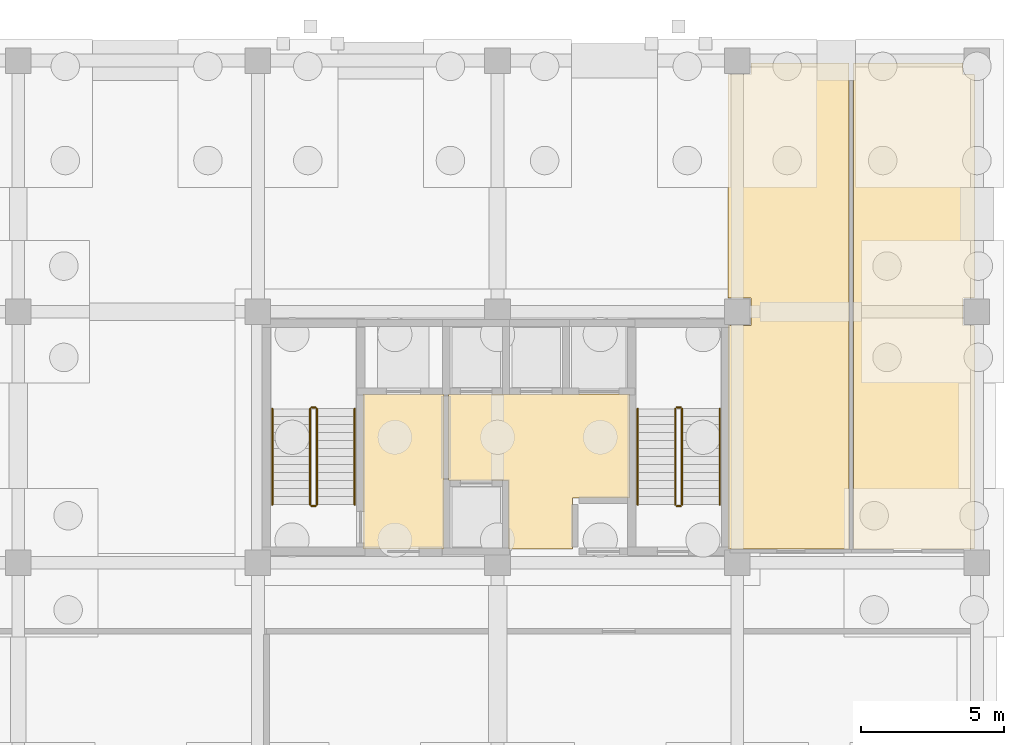
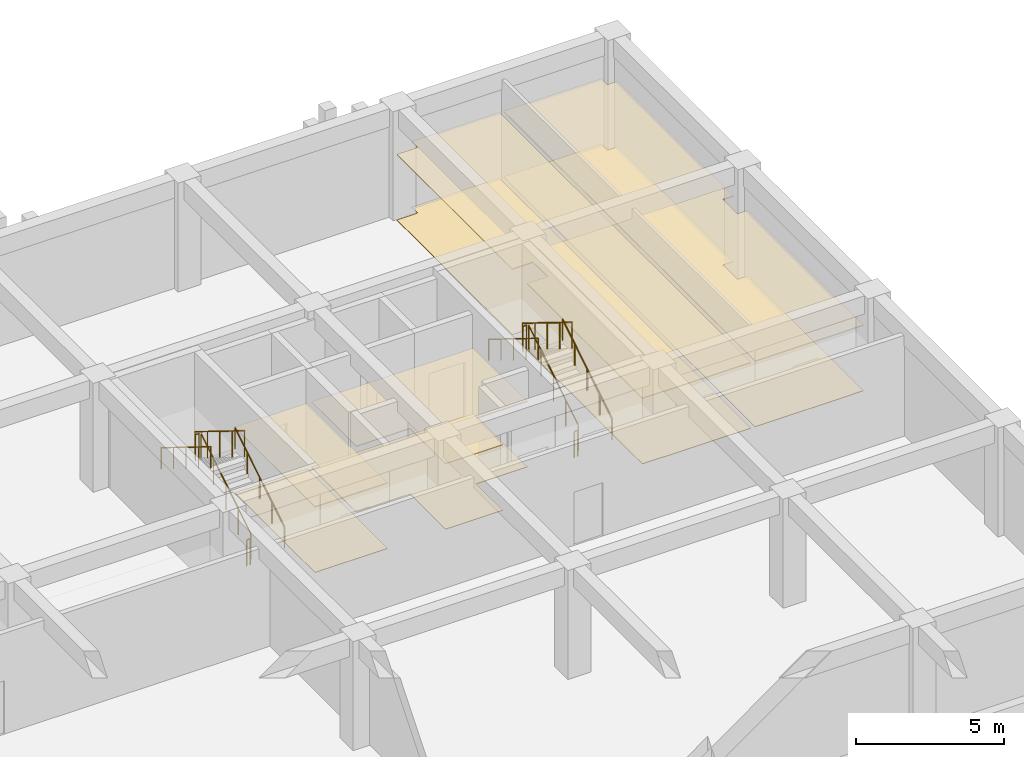
# One storey, part 40 of 41: 12 railings, 8 coverings.
"""IFC4 building model written with IfcOpenShell, lengths in metres."""

from ifc_helpers import new_model, si_unit, direction, frame, origin, origin_2d, place, context, subcontext, project, spatial, polyline, circle, outline, extrude, material, layer, layer_set, type_object, element, save


model = new_model("IFC4")

# Units and contexts
model_context = context("Model", 3, precision=1e-05, world=origin(), true_north=direction((0.0, 1.0)))
body_context = subcontext(model_context, "Body", "Model", "MODEL_VIEW")
ifc_project = project(units=[si_unit("LENGTHUNIT", "METRE"), si_unit("AREAUNIT", "SQUARE_METRE"), si_unit("VOLUMEUNIT", "CUBIC_METRE"), si_unit("PLANEANGLEUNIT", "RADIAN"), si_unit("MASSUNIT", "GRAM", prefix="KILO")], contexts=[model_context])

# Site, building, storey
site_placement = place(None, origin())
site = spatial("IfcSite", under=ifc_project, at=site_placement, CompositionType="ELEMENT")
building_placement = place(site_placement, origin())
building = spatial("IfcBuilding", under=site, at=building_placement, Name="Kemercrest Conservatory and Botanical Centre", CompositionType="ELEMENT")
storey_placement = place(building_placement, frame((0.0, 0.0, -4.5)))
storey = spatial("IfcBuildingStorey", under=building, at=storey_placement, Name="B1", CompositionType="ELEMENT", Elevation=-4.5)

# Coverings
ifc_material_1 = material(Name="Perforated acoustic gypsum and mineral-fibre suspended ceiling", Category="gypsum")
ifc_layer_1 = layer(ifc_material_1, 0.034912109375)
ifc_layer_set_1 = layer_set([ifc_layer_1], Name="Perforated acoustic gypsum and mineral-fibre suspended ceiling")
covering_type_1 = type_object("IfcCoveringType", Name="CV-CLG035", PredefinedType="CEILING", material=ifc_layer_set_1)
covering_1_placement = place(storey_placement, frame((0.0, 0.0, 2.699951171875)))
element("IfcCovering", 1, at=covering_1_placement, inside=storey, type_object=covering_type_1, Name="Basement Staff Washroom suspended acoustic ceiling", PredefinedType="CEILING", context=body_context, shape_type="SweptSolid", body=[
    extrude(outline(polyline([(168.090087890625, 105.280029296875), (171.52001953125, 105.280029296875), (171.52001953125, 122.320068359375), (168.090087890625, 122.320068359375), (168.090087890625, 121.909912109375), (167.280029296875, 121.909912109375), (167.280029296875, 114.090087890625), (168.090087890625, 114.090087890625), (168.090087890625, 113.110107421875), (167.280029296875, 113.110107421875), (167.280029296875, 105.2900390625), (168.090087890625, 105.2900390625), (168.090087890625, 105.280029296875)])), origin(), (0.0, 0.0, 1.0), 0.03515625),
])
covering_2_placement = place(storey_placement, frame((0.0, 0.0, 2.699951171875)))
element("IfcCovering", 2, at=covering_2_placement, inside=storey, type_object=covering_type_1, Name="Basement Accessible Washroom suspended acoustic ceiling", PredefinedType="CEILING", context=body_context, shape_type="SweptSolid", body=[
    extrude(outline(polyline([(171.679931640625, 105.280029296875), (175.510009765625, 105.280029296875), (175.510009765625, 105.2900390625), (175.919921875, 105.2900390625), (175.919921875, 113.110107421875), (175.510009765625, 113.110107421875), (175.510009765625, 114.090087890625), (175.919921875, 114.090087890625), (175.919921875, 121.909912109375), (175.510009765625, 121.909912109375), (175.510009765625, 122.320068359375), (171.679931640625, 122.320068359375), (171.679931640625, 105.280029296875)])), origin(), (0.0, 0.0, 1.0), 0.03515625),
])
covering_3_placement = place(storey_placement, frame((0.0, 0.0, 2.699951171875)))
element("IfcCovering", 3, at=covering_3_placement, inside=storey, type_object=covering_type_1, Name="Firefighting Lobby suspended acoustic ceiling", PredefinedType="CEILING", context=body_context, shape_type="SweptSolid", body=[
    extrude(outline(polyline([(154.47998046875, 105.280029296875), (157.320068359375, 105.280029296875), (157.320068359375, 110.719970703125), (154.47998046875, 110.719970703125), (154.47998046875, 105.280029296875)])), origin(), (0.0, 0.0, 1.0), 0.03515625),
])
covering_4_placement = place(storey_placement, frame((0.0, 0.0, 2.699951171875)))
element("IfcCovering", 4, at=covering_4_placement, inside=storey, type_object=covering_type_1, Name="Tower Lift Lobby suspended acoustic ceiling", PredefinedType="CEILING", context=body_context, shape_type="SweptSolid", body=[
    extrude(outline(polyline([(159.580078125, 107.679931640625), (159.580078125, 105.2900390625), (159.68994140625, 105.2900390625), (159.68994140625, 105.280029296875), (161.820068359375, 105.280029296875), (161.820068359375, 107.080078125), (163.820068359375, 107.080078125), (163.820068359375, 110.719970703125), (157.47998046875, 110.719970703125), (157.47998046875, 107.679931640625), (159.580078125, 107.679931640625)])), origin(), (0.0, 0.0, 1.0), 0.03515625),
])
ifc_material_2 = material(Name="Polished limestone terrazzo and seamless laboratory epoxy flooring", Category="masonry")
ifc_layer_2 = layer(ifc_material_2, 0.02001953125)
ifc_layer_set_2 = layer_set([ifc_layer_2], Name="Polished limestone terrazzo and seamless laboratory epoxy flooring")
covering_type_2 = type_object("IfcCoveringType", Name="CV-FLR020", PredefinedType="FLOORING", material=ifc_layer_set_2)
covering_5_placement = place(storey_placement, origin())
element("IfcCovering", 5, at=covering_5_placement, inside=storey, type_object=covering_type_2, Name="Basement Staff Washroom floor finish", PredefinedType="FLOORING", context=body_context, shape_type="SweptSolid", body=[
    extrude(outline(polyline([(168.090087890625, 105.280029296875), (171.52001953125, 105.280029296875), (171.52001953125, 122.320068359375), (168.090087890625, 122.320068359375), (168.090087890625, 121.909912109375), (167.280029296875, 121.909912109375), (167.280029296875, 114.090087890625), (168.090087890625, 114.090087890625), (168.090087890625, 113.110107421875), (167.280029296875, 113.110107421875), (167.280029296875, 105.2900390625), (168.090087890625, 105.2900390625), (168.090087890625, 105.280029296875)])), origin(), (0.0, 0.0, 1.0), 0.02001953125),
])
covering_6_placement = place(storey_placement, origin())
element("IfcCovering", 6, at=covering_6_placement, inside=storey, type_object=covering_type_2, Name="Basement Accessible Washroom floor finish", PredefinedType="FLOORING", context=body_context, shape_type="SweptSolid", body=[
    extrude(outline(polyline([(171.679931640625, 105.280029296875), (175.510009765625, 105.280029296875), (175.510009765625, 105.2900390625), (175.919921875, 105.2900390625), (175.919921875, 113.110107421875), (175.510009765625, 113.110107421875), (175.510009765625, 114.090087890625), (175.919921875, 114.090087890625), (175.919921875, 121.909912109375), (175.510009765625, 121.909912109375), (175.510009765625, 122.320068359375), (171.679931640625, 122.320068359375), (171.679931640625, 105.280029296875)])), origin(), (0.0, 0.0, 1.0), 0.02001953125),
])
covering_7_placement = place(storey_placement, origin())
element("IfcCovering", 7, at=covering_7_placement, inside=storey, type_object=covering_type_2, Name="Firefighting Lobby floor finish", PredefinedType="FLOORING", context=body_context, shape_type="SweptSolid", body=[
    extrude(outline(polyline([(154.47998046875, 105.280029296875), (157.320068359375, 105.280029296875), (157.320068359375, 110.719970703125), (154.47998046875, 110.719970703125), (154.47998046875, 105.280029296875)])), origin(), (0.0, 0.0, 1.0), 0.02001953125),
])
covering_8_placement = place(storey_placement, origin())
element("IfcCovering", 8, at=covering_8_placement, inside=storey, type_object=covering_type_2, Name="Tower Lift Lobby floor finish", PredefinedType="FLOORING", context=body_context, shape_type="SweptSolid", body=[
    extrude(outline(polyline([(159.580078125, 107.679931640625), (159.580078125, 105.2900390625), (159.68994140625, 105.2900390625), (159.68994140625, 105.280029296875), (161.820068359375, 105.280029296875), (161.820068359375, 107.080078125), (163.820068359375, 107.080078125), (163.820068359375, 110.719970703125), (157.47998046875, 110.719970703125), (157.47998046875, 107.679931640625), (159.580078125, 107.679931640625)])), origin(), (0.0, 0.0, 1.0), 0.02001953125),
])

# Railings
ifc_material_3 = material(Name="Painted galvanized steel tubular stair guardrail", Category="steel")
railing_type_1 = type_object("IfcRailingType", Name="GR-STR110", PredefinedType="GUARDRAIL", material=ifc_material_3)
railing_1_placement = place(storey_placement, frame((152.8701171875, 106.840087890625, 0.173095703125)))
element("IfcRailing", 9, at=railing_1_placement, inside=storey, type_object=railing_type_1, Name="B1 ST-V4A stair guard 1", PredefinedType="GUARDRAIL", context=body_context, shape_type="SweptSolid", body=[
    extrude(circle(Radius=0.02392578125, at=origin_2d()), frame((0.0, 0.0, 1.076171875), z_axis=(0.0, 0.850606129759, 0.525803396734), x_axis=(-1.0, 0.0, 0.0)), (0.0, 0.0, 1.0), 3.949951171875),
    extrude(circle(Radius=0.02099609375, at=origin_2d()), origin(), (0.0, 0.0, 1.0), 1.052001953125),
    extrude(circle(Radius=0.02099609375, at=origin_2d()), frame((0.0, 0.83984375, 0.519287109375)), (0.0, 0.0, 1.0), 1.052001953125),
    extrude(circle(Radius=0.02099609375, at=origin_2d()), frame((0.0, 1.679931640625, 1.03857421875)), (0.0, 0.0, 1.0), 1.052001953125),
    extrude(circle(Radius=0.02099609375, at=origin_2d()), frame((0.0, 2.52001953125, 1.5576171875)), (0.0, 0.0, 1.0), 1.052001953125),
    extrude(circle(Radius=0.02099609375, at=origin_2d()), frame((0.0, 3.35986328125, 2.076904296875)), (0.0, 0.0, 1.0), 1.052001953125),
])
railing_2_placement = place(storey_placement, frame((152.820068359375, 110.25, 2.25)))
element("IfcRailing", 10, at=railing_2_placement, inside=storey, type_object=railing_type_1, Name="B1 ST-V4A stair guard 2", PredefinedType="GUARDRAIL", context=body_context, shape_type="SweptSolid", body=[
    extrude(circle(Radius=0.02392578125, at=origin_2d()), frame((0.0, 0.0, 1.076171875), z_axis=(-1.0, 0.0, 0.0), x_axis=(0.0, -1.0, 0.0)), (0.0, 0.0, 1.0), 0.14013671875),
    extrude(circle(Radius=0.02099609375, at=origin_2d()), origin(), (0.0, 0.0, 1.0), 1.052001953125),
    extrude(circle(Radius=0.02099609375, at=origin_2d()), frame((-0.14013671875, 0.0, 0.0)), (0.0, 0.0, 1.0), 1.052001953125),
])
railing_3_placement = place(storey_placement, frame((152.6298828125, 110.199951171875, 2.423095703125)))
element("IfcRailing", 11, at=railing_3_placement, inside=storey, type_object=railing_type_1, Name="B1 ST-V4A stair guard 3", PredefinedType="GUARDRAIL", context=body_context, shape_type="SweptSolid", body=[
    extrude(circle(Radius=0.02392578125, at=origin_2d()), frame((0.0, 0.0, 1.076171875), z_axis=(0.0, -0.850606129759, 0.525803396734), x_axis=(1.0, 0.0, 0.0)), (0.0, 0.0, 1.0), 3.949951171875),
    extrude(circle(Radius=0.02099609375, at=origin_2d()), origin(), (0.0, 0.0, 1.0), 1.052001953125),
    extrude(circle(Radius=0.02099609375, at=origin_2d()), frame((0.0, -0.83984375, 0.519287109375)), (0.0, 0.0, 1.0), 1.052001953125),
    extrude(circle(Radius=0.02099609375, at=origin_2d()), frame((0.0, -1.679931640625, 1.03857421875)), (0.0, 0.0, 1.0), 1.052001953125),
    extrude(circle(Radius=0.02099609375, at=origin_2d()), frame((0.0, -2.52001953125, 1.5576171875)), (0.0, 0.0, 1.0), 1.052001953125),
    extrude(circle(Radius=0.02099609375, at=origin_2d()), frame((0.0, -3.35986328125, 2.076904296875)), (0.0, 0.0, 1.0), 1.052001953125),
])
railing_4_placement = place(storey_placement, frame((152.820068359375, 106.7900390625, 0.0)))
element("IfcRailing", 12, at=railing_4_placement, inside=storey, type_object=railing_type_1, Name="B1 ST-V4A stair guard 4", PredefinedType="GUARDRAIL", context=body_context, shape_type="SweptSolid", body=[
    extrude(circle(Radius=0.02392578125, at=origin_2d()), frame((0.0, 0.0, 1.076171875), z_axis=(-1.0, 0.0, 0.0), x_axis=(0.0, -1.0, 0.0)), (0.0, 0.0, 1.0), 0.14013671875),
    extrude(circle(Radius=0.02099609375, at=origin_2d()), origin(), (0.0, 0.0, 1.0), 1.052001953125),
    extrude(circle(Radius=0.02099609375, at=origin_2d()), frame((-0.14013671875, 0.0, 0.0)), (0.0, 0.0, 1.0), 1.052001953125),
])
railing_5_placement = place(storey_placement, frame((165.669921875, 106.840087890625, 0.173095703125)))
element("IfcRailing", 13, at=railing_5_placement, inside=storey, type_object=railing_type_1, Name="B1 ST-V4B stair guard 1", PredefinedType="GUARDRAIL", context=body_context, shape_type="SweptSolid", body=[
    extrude(circle(Radius=0.02392578125, at=origin_2d()), frame((0.0, 0.0, 1.076171875), z_axis=(0.0, 0.850606129759, 0.525803396734), x_axis=(-1.0, 0.0, 0.0)), (0.0, 0.0, 1.0), 3.949951171875),
    extrude(circle(Radius=0.02099609375, at=origin_2d()), origin(), (0.0, 0.0, 1.0), 1.052001953125),
    extrude(circle(Radius=0.02099609375, at=origin_2d()), frame((0.0, 0.83984375, 0.519287109375)), (0.0, 0.0, 1.0), 1.052001953125),
    extrude(circle(Radius=0.02099609375, at=origin_2d()), frame((0.0, 1.679931640625, 1.03857421875)), (0.0, 0.0, 1.0), 1.052001953125),
    extrude(circle(Radius=0.02099609375, at=origin_2d()), frame((0.0, 2.52001953125, 1.5576171875)), (0.0, 0.0, 1.0), 1.052001953125),
    extrude(circle(Radius=0.02099609375, at=origin_2d()), frame((0.0, 3.35986328125, 2.076904296875)), (0.0, 0.0, 1.0), 1.052001953125),
])
railing_6_placement = place(storey_placement, frame((165.6201171875, 110.25, 2.25)))
element("IfcRailing", 14, at=railing_6_placement, inside=storey, type_object=railing_type_1, Name="B1 ST-V4B stair guard 2", PredefinedType="GUARDRAIL", context=body_context, shape_type="SweptSolid", body=[
    extrude(circle(Radius=0.02392578125, at=origin_2d()), frame((0.0, 0.0, 1.076171875), z_axis=(-1.0, 0.0, 0.0), x_axis=(0.0, -1.0, 0.0)), (0.0, 0.0, 1.0), 0.14013671875),
    extrude(circle(Radius=0.02099609375, at=origin_2d()), origin(), (0.0, 0.0, 1.0), 1.052001953125),
    extrude(circle(Radius=0.02099609375, at=origin_2d()), frame((-0.14013671875, 0.0, 0.0)), (0.0, 0.0, 1.0), 1.052001953125),
])
railing_7_placement = place(storey_placement, frame((165.429931640625, 110.199951171875, 2.423095703125)))
element("IfcRailing", 15, at=railing_7_placement, inside=storey, type_object=railing_type_1, Name="B1 ST-V4B stair guard 3", PredefinedType="GUARDRAIL", context=body_context, shape_type="SweptSolid", body=[
    extrude(circle(Radius=0.02392578125, at=origin_2d()), frame((0.0, 0.0, 1.076171875), z_axis=(0.0, -0.850606129759, 0.525803396734), x_axis=(1.0, 0.0, 0.0)), (0.0, 0.0, 1.0), 3.949951171875),
    extrude(circle(Radius=0.02099609375, at=origin_2d()), origin(), (0.0, 0.0, 1.0), 1.052001953125),
    extrude(circle(Radius=0.02099609375, at=origin_2d()), frame((0.0, -0.83984375, 0.519287109375)), (0.0, 0.0, 1.0), 1.052001953125),
    extrude(circle(Radius=0.02099609375, at=origin_2d()), frame((0.0, -1.679931640625, 1.03857421875)), (0.0, 0.0, 1.0), 1.052001953125),
    extrude(circle(Radius=0.02099609375, at=origin_2d()), frame((0.0, -2.52001953125, 1.5576171875)), (0.0, 0.0, 1.0), 1.052001953125),
    extrude(circle(Radius=0.02099609375, at=origin_2d()), frame((0.0, -3.35986328125, 2.076904296875)), (0.0, 0.0, 1.0), 1.052001953125),
])
railing_8_placement = place(storey_placement, frame((165.6201171875, 106.7900390625, 0.0)))
element("IfcRailing", 16, at=railing_8_placement, inside=storey, type_object=railing_type_1, Name="B1 ST-V4B stair guard 4", PredefinedType="GUARDRAIL", context=body_context, shape_type="SweptSolid", body=[
    extrude(circle(Radius=0.02392578125, at=origin_2d()), frame((0.0, 0.0, 1.076171875), z_axis=(-1.0, 0.0, 0.0), x_axis=(0.0, -1.0, 0.0)), (0.0, 0.0, 1.0), 0.14013671875),
    extrude(circle(Radius=0.02099609375, at=origin_2d()), origin(), (0.0, 0.0, 1.0), 1.052001953125),
    extrude(circle(Radius=0.02099609375, at=origin_2d()), frame((-0.14013671875, 0.0, 0.0)), (0.0, 0.0, 1.0), 1.052001953125),
])
ifc_material_4 = material(Name="Brushed stainless steel wall-mounted handrail", Category="steel")
railing_type_2 = type_object("IfcRailingType", Name="HR-STR090", PredefinedType="HANDRAIL", material=ifc_material_4)
railing_9_placement = place(storey_placement, frame((154.18994140625, 106.840087890625, 0.173095703125)))
element("IfcRailing", 17, at=railing_9_placement, inside=storey, type_object=railing_type_2, Name="B1 ST-V4A stair handrail 1", PredefinedType="HANDRAIL", context=body_context, shape_type="SweptSolid", body=[
    extrude(circle(Radius=0.02392578125, at=origin_2d()), frame((0.0, 0.0, 0.8759765625), z_axis=(0.0, 0.850606129759, 0.525803396734), x_axis=(-1.0, 0.0, 0.0)), (0.0, 0.0, 1.0), 3.949951171875),
    extrude(circle(Radius=0.02099609375, at=origin_2d()), origin(), (0.0, 0.0, 1.0), 0.851806640625),
    extrude(circle(Radius=0.02099609375, at=origin_2d()), frame((0.0, 0.83984375, 0.519287109375)), (0.0, 0.0, 1.0), 0.851806640625),
    extrude(circle(Radius=0.02099609375, at=origin_2d()), frame((0.0, 1.679931640625, 1.03857421875)), (0.0, 0.0, 1.0), 0.851806640625),
    extrude(circle(Radius=0.02099609375, at=origin_2d()), frame((0.0, 2.52001953125, 1.5576171875)), (0.0, 0.0, 1.0), 0.851806640625),
    extrude(circle(Radius=0.02099609375, at=origin_2d()), frame((0.0, 3.35986328125, 2.076904296875)), (0.0, 0.0, 1.0), 0.851806640625),
])
railing_10_placement = place(storey_placement, frame((151.31005859375, 110.199951171875, 2.423095703125)))
element("IfcRailing", 18, at=railing_10_placement, inside=storey, type_object=railing_type_2, Name="B1 ST-V4A stair handrail 2", PredefinedType="HANDRAIL", context=body_context, shape_type="SweptSolid", body=[
    extrude(circle(Radius=0.02392578125, at=origin_2d()), frame((0.0, 0.0, 0.8759765625), z_axis=(0.0, -0.850606129759, 0.525803396734), x_axis=(1.0, 0.0, 0.0)), (0.0, 0.0, 1.0), 3.949951171875),
    extrude(circle(Radius=0.02099609375, at=origin_2d()), origin(), (0.0, 0.0, 1.0), 0.851806640625),
    extrude(circle(Radius=0.02099609375, at=origin_2d()), frame((0.0, -0.83984375, 0.519287109375)), (0.0, 0.0, 1.0), 0.851806640625),
    extrude(circle(Radius=0.02099609375, at=origin_2d()), frame((0.0, -1.679931640625, 1.03857421875)), (0.0, 0.0, 1.0), 0.851806640625),
    extrude(circle(Radius=0.02099609375, at=origin_2d()), frame((0.0, -2.52001953125, 1.5576171875)), (0.0, 0.0, 1.0), 0.851806640625),
    extrude(circle(Radius=0.02099609375, at=origin_2d()), frame((0.0, -3.35986328125, 2.076904296875)), (0.0, 0.0, 1.0), 0.851806640625),
])
railing_11_placement = place(storey_placement, frame((166.989990234375, 106.840087890625, 0.173095703125)))
element("IfcRailing", 19, at=railing_11_placement, inside=storey, type_object=railing_type_2, Name="B1 ST-V4B stair handrail 1", PredefinedType="HANDRAIL", context=body_context, shape_type="SweptSolid", body=[
    extrude(circle(Radius=0.02392578125, at=origin_2d()), frame((0.0, 0.0, 0.8759765625), z_axis=(0.0, 0.850606129759, 0.525803396734), x_axis=(-1.0, 0.0, 0.0)), (0.0, 0.0, 1.0), 3.949951171875),
    extrude(circle(Radius=0.02099609375, at=origin_2d()), origin(), (0.0, 0.0, 1.0), 0.851806640625),
    extrude(circle(Radius=0.02099609375, at=origin_2d()), frame((0.0, 0.83984375, 0.519287109375)), (0.0, 0.0, 1.0), 0.851806640625),
    extrude(circle(Radius=0.02099609375, at=origin_2d()), frame((0.0, 1.679931640625, 1.03857421875)), (0.0, 0.0, 1.0), 0.851806640625),
    extrude(circle(Radius=0.02099609375, at=origin_2d()), frame((0.0, 2.52001953125, 1.5576171875)), (0.0, 0.0, 1.0), 0.851806640625),
    extrude(circle(Radius=0.02099609375, at=origin_2d()), frame((0.0, 3.35986328125, 2.076904296875)), (0.0, 0.0, 1.0), 0.851806640625),
])
railing_12_placement = place(storey_placement, frame((164.110107421875, 110.199951171875, 2.423095703125)))
element("IfcRailing", 20, at=railing_12_placement, inside=storey, type_object=railing_type_2, Name="B1 ST-V4B stair handrail 2", PredefinedType="HANDRAIL", context=body_context, shape_type="SweptSolid", body=[
    extrude(circle(Radius=0.02392578125, at=origin_2d()), frame((0.0, 0.0, 0.8759765625), z_axis=(0.0, -0.850606129759, 0.525803396734), x_axis=(1.0, 0.0, 0.0)), (0.0, 0.0, 1.0), 3.949951171875),
    extrude(circle(Radius=0.02099609375, at=origin_2d()), origin(), (0.0, 0.0, 1.0), 0.851806640625),
    extrude(circle(Radius=0.02099609375, at=origin_2d()), frame((0.0, -0.83984375, 0.519287109375)), (0.0, 0.0, 1.0), 0.851806640625),
    extrude(circle(Radius=0.02099609375, at=origin_2d()), frame((0.0, -1.679931640625, 1.03857421875)), (0.0, 0.0, 1.0), 0.851806640625),
    extrude(circle(Radius=0.02099609375, at=origin_2d()), frame((0.0, -2.52001953125, 1.5576171875)), (0.0, 0.0, 1.0), 0.851806640625),
    extrude(circle(Radius=0.02099609375, at=origin_2d()), frame((0.0, -3.35986328125, 2.076904296875)), (0.0, 0.0, 1.0), 0.851806640625),
])

save(model, "model.ifc")
